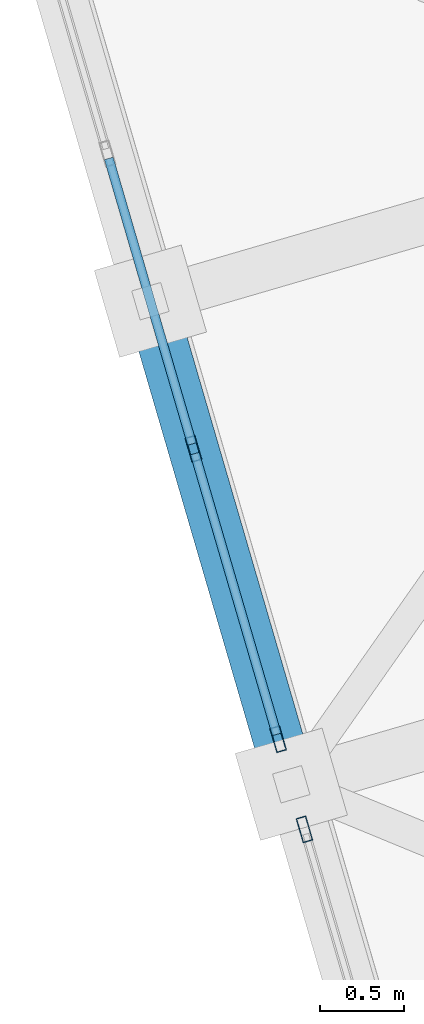
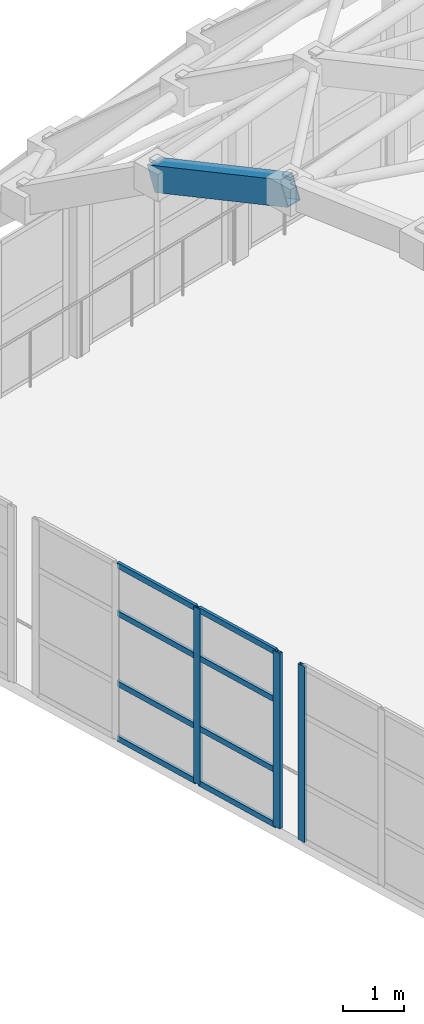
# One storey, part 47 of 248: 11 members, 1 beam, 2 elements without a shape of their own.
"""IFC4 building model written with IfcOpenShell, lengths in metres."""

from ifc_helpers import new_model, si_unit, direction, frame, origin, origin_2d, place, context, subcontext, project, spatial, hollow_rectangle, extrude, material, layer, layer_set, material_profile, profile_set, type_object, element, aggregate, save


model = new_model("IFC4")

# Units and contexts
model_context = context("Model", 3, precision=1e-05, world=origin(), true_north=direction((0.0, 1.0)))
body_context = subcontext(model_context, "Body", "Model", "MODEL_VIEW")
ifc_project = project(units=[si_unit("LENGTHUNIT", "METRE"), si_unit("AREAUNIT", "SQUARE_METRE"), si_unit("VOLUMEUNIT", "CUBIC_METRE"), si_unit("PLANEANGLEUNIT", "RADIAN"), si_unit("MASSUNIT", "GRAM", prefix="KILO")], contexts=[model_context])

# Site, building, storey
site_placement = place(None, origin())
site = spatial("IfcSite", under=ifc_project, at=site_placement, CompositionType="ELEMENT")
building_placement = place(site_placement, origin())
building = spatial("IfcBuilding", under=site, at=building_placement, Name="Canggui Botanical Conservatory", CompositionType="ELEMENT")
storey_placement = place(building_placement, frame((0.0, 0.0, 5.39990234375)))
storey = spatial("IfcBuildingStorey", under=building, at=storey_placement, Name="L02", CompositionType="ELEMENT", Elevation=5.39990234375)

# Beam
ifc_material_1 = material(Name="Steel Q355C", Category="steel")
ifc_material_profile_1 = material_profile(ifc_material_1, hollow_rectangle(XDim=0.300048828125, YDim=0.5, WallThickness=0.01611328125, at=origin_2d()), Name="RHS 300x500x16")
ifc_profile_set_1 = profile_set([ifc_material_profile_1], Name="Steel Q355C")
beam_type = type_object("IfcBeamType", Name="BM-GJ01", PredefinedType="BEAM", material=ifc_profile_set_1)
beam_placement = place(storey_placement, frame((14.9599609375, 59.280029296875, 12.816162109375), z_axis=(-0.2613509637, 0.896190688314, -0.358521859796), x_axis=(-0.960010937337, -0.279962497833, 0.0)))
element("IfcBeam", 1, at=beam_placement, inside=storey, type_object=beam_type, Name="Conservatory Stepped-Arch Rib GJ-01 Segment 7", PredefinedType="BEAM", context=body_context, shape_type="SweptSolid", body=[
    extrude(hollow_rectangle(XDim=0.300048828125, YDim=0.5, WallThickness=0.01611328125, at=origin_2d()), origin(), (0.0, 0.0, 1.0), 3.21337890625),
])

# Curtain wall, member
ifc_material_2 = material(Name="Thermally Broken Aluminium", Category="aluminium")
ifc_layer = layer(ifc_material_2, 0.14990234375, Name="Thermally Broken Aluminium", Category="aluminium")
ifc_layer_set = layer_set([ifc_layer], Name="Thermally Broken Aluminium")
curtain_wall_type = type_object("IfcCurtainWallType", Name="CW-UNIT-C", PredefinedType="USERDEFINED", material=ifc_layer_set)
curtain_wall_1_placement = place(storey_placement, origin())
curtain_wall_1 = element("IfcCurtainWall", 2, at=curtain_wall_1_placement, inside=storey, type_object=curtain_wall_type, Name="Facade Curtain Wall CW-CONS-GABLE-L02-S-03", ObjectType="UNITISED CURTAIN WALL", PredefinedType="USERDEFINED")
ifc_material_profile_2 = material_profile(ifc_material_2, hollow_rectangle(XDim=0.06005859375, YDim=0.14990234375, WallThickness=0.00341796875, at=origin_2d()), Name="CWM 60x150x3.5")
ifc_profile_set_2 = profile_set([ifc_material_profile_2], Name="Thermally Broken Aluminium")
member_type_1 = type_object("IfcMemberType", Name="CWM-03", PredefinedType="MULLION", material=ifc_profile_set_2)
member_1_placement = place(storey_placement, frame((15.038330078125, 59.01123046875, 0.0), z_axis=(0.0, 0.0, 1.0), x_axis=(-0.960000000002, -0.279999999995, 0.0)))
member_1 = element("IfcMember", 3, at=member_1_placement, type_object=member_type_1, Name="CW-03 mullion 4", PredefinedType="MULLION", context=body_context, shape_type="SweptSolid", body=[
    extrude(hollow_rectangle(XDim=0.06005859375, YDim=0.14990234375, WallThickness=0.00341796875, at=origin_2d()), origin(), (0.0, 0.0, 1.0), 3.5),
])
aggregate(curtain_wall_1, [member_1])

# Curtain wall, members
curtain_wall_2_placement = place(storey_placement, origin())
curtain_wall_2 = element("IfcCurtainWall", 4, at=curtain_wall_2_placement, inside=storey, type_object=curtain_wall_type, Name="Facade Curtain Wall CW-CONS-GABLE-L02-S-04", ObjectType="UNITISED CURTAIN WALL", PredefinedType="USERDEFINED")
member_2_placement = place(storey_placement, frame((14.881591796875, 59.548828125, 0.0), z_axis=(0.0, 0.0, 1.0), x_axis=(-0.960000000002, -0.279999999995, 0.0)))
member_2 = element("IfcMember", 5, at=member_2_placement, type_object=member_type_1, Name="CW-03 mullion 1", PredefinedType="MULLION", context=body_context, shape_type="SweptSolid", body=[
    extrude(hollow_rectangle(XDim=0.06005859375, YDim=0.14990234375, WallThickness=0.00341796875, at=origin_2d()), origin(), (0.0, 0.0, 1.0), 3.5),
])
member_3_placement = place(storey_placement, frame((14.376708984375, 61.280029296875, 0.0), z_axis=(0.0, 0.0, 1.0), x_axis=(-0.960000000002, -0.279999999995, 0.0)))
member_3 = element("IfcMember", 6, at=member_3_placement, type_object=member_type_1, Name="CW-03 mullion 2", PredefinedType="MULLION", context=body_context, shape_type="SweptSolid", body=[
    extrude(hollow_rectangle(XDim=0.06005859375, YDim=0.14990234375, WallThickness=0.00341796875, at=origin_2d()), origin(), (0.0, 0.0, 1.0), 3.5),
])
ifc_material_profile_3 = material_profile(ifc_material_2, hollow_rectangle(XDim=0.054931640625, YDim=0.110107421875, WallThickness=0.0029296875, at=origin_2d()), Name="CWT 55x110x3")
ifc_profile_set_3 = profile_set([ifc_material_profile_3], Name="Thermally Broken Aluminium")
member_type_2 = type_object("IfcMemberType", Name="CWT-03", PredefinedType="USERDEFINED", material=ifc_profile_set_3)
member_4_placement = place(storey_placement, frame((14.873291015625, 59.57763671875, 0.027587890625), z_axis=(-0.280080662242, 0.959976469836, 0.0), x_axis=(-0.959976469836, -0.280080662242, 0.0)))
member_4 = element("IfcMember", 7, at=member_4_placement, type_object=member_type_2, Name="CW-03 transom 1.1", ObjectType="TRANSOM", PredefinedType="USERDEFINED", context=body_context, shape_type="SweptSolid", body=[
    extrude(hollow_rectangle(XDim=0.054931640625, YDim=0.110107421875, WallThickness=0.0029296875, at=origin_2d()), origin(), (0.0, 0.0, 1.0), 1.743408203125),
])
member_5_placement = place(storey_placement, frame((14.873291015625, 59.57763671875, 1.1201171875), z_axis=(-0.280080662242, 0.959976469836, 0.0), x_axis=(-0.959976469836, -0.280080662242, 0.0)))
member_5 = element("IfcMember", 8, at=member_5_placement, type_object=member_type_2, Name="CW-03 transom 1.2", ObjectType="TRANSOM", PredefinedType="USERDEFINED", context=body_context, shape_type="SweptSolid", body=[
    extrude(hollow_rectangle(XDim=0.054931640625, YDim=0.110107421875, WallThickness=0.0029296875, at=origin_2d()), origin(), (0.0, 0.0, 1.0), 1.743408203125),
])
member_6_placement = place(storey_placement, frame((14.873291015625, 59.57763671875, 2.52001953125), z_axis=(-0.280080662242, 0.959976469836, 0.0), x_axis=(-0.959976469836, -0.280080662242, 0.0)))
member_6 = element("IfcMember", 9, at=member_6_placement, type_object=member_type_2, Name="CW-03 transom 1.3", ObjectType="TRANSOM", PredefinedType="USERDEFINED", context=body_context, shape_type="SweptSolid", body=[
    extrude(hollow_rectangle(XDim=0.054931640625, YDim=0.110107421875, WallThickness=0.0029296875, at=origin_2d()), origin(), (0.0, 0.0, 1.0), 1.743408203125),
])
member_7_placement = place(storey_placement, frame((14.873291015625, 59.57763671875, 3.47265625), z_axis=(-0.280080662242, 0.959976469836, 0.0), x_axis=(-0.959976469836, -0.280080662242, 0.0)))
member_7 = element("IfcMember", 10, at=member_7_placement, type_object=member_type_2, Name="CW-03 transom 1.4", ObjectType="TRANSOM", PredefinedType="USERDEFINED", context=body_context, shape_type="SweptSolid", body=[
    extrude(hollow_rectangle(XDim=0.054931640625, YDim=0.110107421875, WallThickness=0.0029296875, at=origin_2d()), origin(), (0.0, 0.0, 1.0), 1.743408203125),
])
member_8_placement = place(storey_placement, frame((14.3681640625, 61.308837890625, 0.027587890625), z_axis=(-0.279899548536, 0.960029292641, 0.0), x_axis=(-0.960029292641, -0.279899548536, 0.0)))
member_8 = element("IfcMember", 11, at=member_8_placement, type_object=member_type_2, Name="CW-03 transom 2.1", ObjectType="TRANSOM", PredefinedType="USERDEFINED", context=body_context, shape_type="SweptSolid", body=[
    extrude(hollow_rectangle(XDim=0.054931640625, YDim=0.110107421875, WallThickness=0.0029296875, at=origin_2d()), origin(), (0.0, 0.0, 1.0), 1.773193359375),
])
member_9_placement = place(storey_placement, frame((14.3681640625, 61.308837890625, 1.1201171875), z_axis=(-0.279899548536, 0.960029292641, 0.0), x_axis=(-0.960029292641, -0.279899548536, 0.0)))
member_9 = element("IfcMember", 12, at=member_9_placement, type_object=member_type_2, Name="CW-03 transom 2.2", ObjectType="TRANSOM", PredefinedType="USERDEFINED", context=body_context, shape_type="SweptSolid", body=[
    extrude(hollow_rectangle(XDim=0.054931640625, YDim=0.110107421875, WallThickness=0.0029296875, at=origin_2d()), origin(), (0.0, 0.0, 1.0), 1.773193359375),
])
member_10_placement = place(storey_placement, frame((14.3681640625, 61.308837890625, 2.52001953125), z_axis=(-0.279899548536, 0.960029292641, 0.0), x_axis=(-0.960029292641, -0.279899548536, 0.0)))
member_10 = element("IfcMember", 13, at=member_10_placement, type_object=member_type_2, Name="CW-03 transom 2.3", ObjectType="TRANSOM", PredefinedType="USERDEFINED", context=body_context, shape_type="SweptSolid", body=[
    extrude(hollow_rectangle(XDim=0.054931640625, YDim=0.110107421875, WallThickness=0.0029296875, at=origin_2d()), origin(), (0.0, 0.0, 1.0), 1.773193359375),
])
member_11_placement = place(storey_placement, frame((14.3681640625, 61.308837890625, 3.47265625), z_axis=(-0.279899548536, 0.960029292641, 0.0), x_axis=(-0.960029292641, -0.279899548536, 0.0)))
member_11 = element("IfcMember", 14, at=member_11_placement, type_object=member_type_2, Name="CW-03 transom 2.4", ObjectType="TRANSOM", PredefinedType="USERDEFINED", context=body_context, shape_type="SweptSolid", body=[
    extrude(hollow_rectangle(XDim=0.054931640625, YDim=0.110107421875, WallThickness=0.0029296875, at=origin_2d()), origin(), (0.0, 0.0, 1.0), 1.773193359375),
])
aggregate(curtain_wall_2, [member_2, member_3, member_4, member_5, member_6, member_7, member_8, member_9, member_10, member_11])

save(model, "model.ifc")
